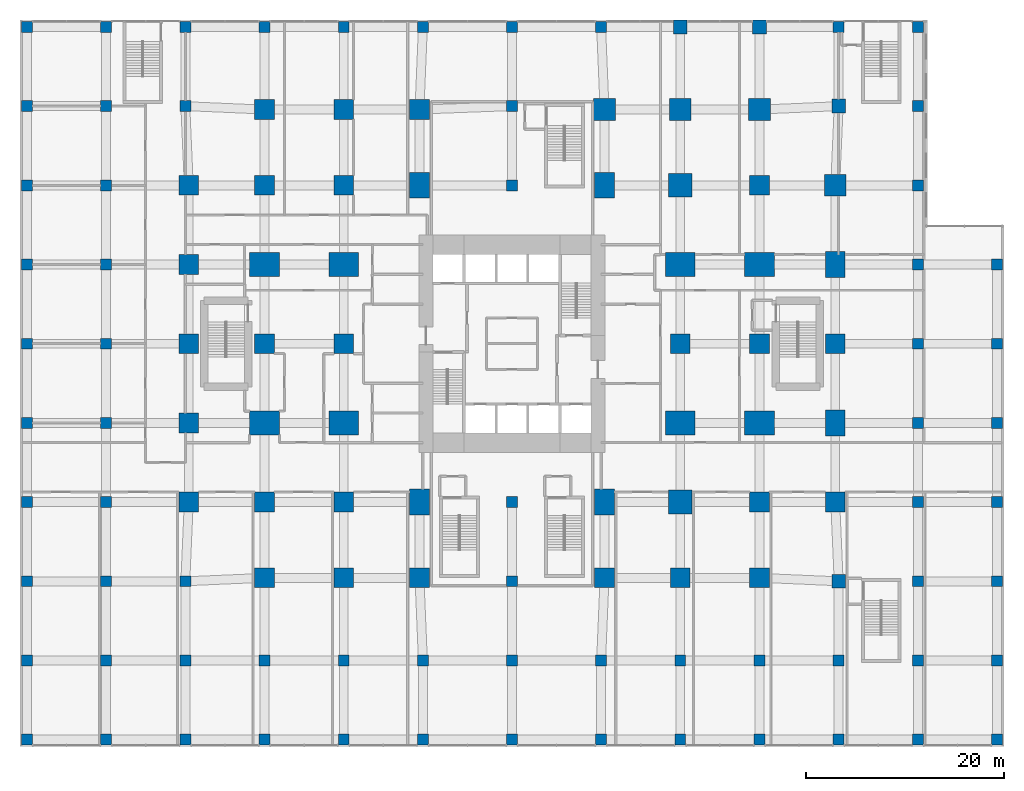
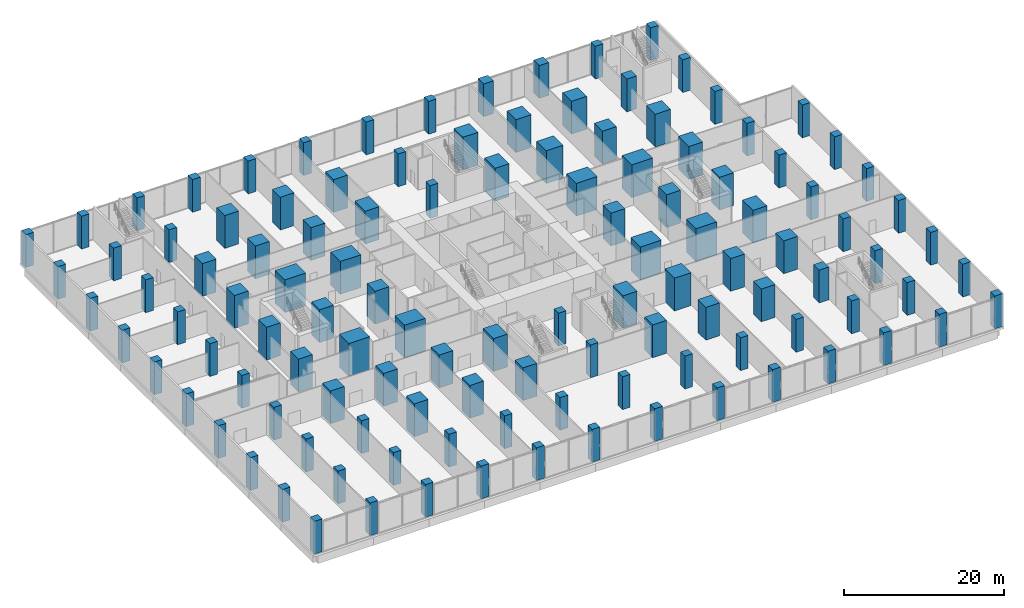
# One storey, part 1 of 22: 118 columns.
"""IFC4 building model written with IfcOpenShell, lengths in metres."""

from ifc_helpers import new_model, si_unit, direction, frame, origin, origin_2d, place, context, subcontext, project, spatial, rectangle, extrude, material, material_profile, profile_set, type_object, element, save


model = new_model("IFC4")

# Units and contexts
model_context = context("Model", 3, precision=1e-05, world=origin(), true_north=direction((0.0, 1.0)))
body_context = subcontext(model_context, "Body", "Model", "MODEL_VIEW")
ifc_project = project(units=[si_unit("LENGTHUNIT", "METRE"), si_unit("AREAUNIT", "SQUARE_METRE"), si_unit("VOLUMEUNIT", "CUBIC_METRE"), si_unit("PLANEANGLEUNIT", "RADIAN"), si_unit("MASSUNIT", "GRAM", prefix="KILO")], contexts=[model_context])

# Site, building, storey
site_placement = place(None, origin())
site = spatial("IfcSite", under=ifc_project, at=site_placement, CompositionType="ELEMENT")
building_placement = place(site_placement, origin())
building = spatial("IfcBuilding", under=site, at=building_placement, Name="Cleftline Residences", CompositionType="ELEMENT")
storey_placement = place(building_placement, frame((0.0, 0.0, 6.0)))
storey = spatial("IfcBuildingStorey", under=building, at=storey_placement, Name="L01", CompositionType="ELEMENT", Elevation=6.0)

# Columns
ifc_material_1 = material(Name="Concrete B70", Category="concrete")
ifc_material_profile_1 = material_profile(ifc_material_1, rectangle(XDim=1.10009765625, YDim=1.10009765625, at=origin_2d()))
ifc_profile_set_1 = profile_set([ifc_material_profile_1], Name="Concrete B70")
column_type_1 = type_object("IfcColumnType", Name="COLUMN RC1100X1100", PredefinedType="COLUMN", material=ifc_profile_set_1)
for number, where, z_axis, x_axis, name in (
    (1, (-16.0, -16.0, 0.0), (0.0, 0.0, 1.0), (1.0, 0.0, 0.0), "Column A/1"),
    (2, (-16.0, -8.0, 0.0), (0.0, 0.0, 1.0), (1.0, 0.0, 0.0), "Column B/1"),
    (3, (-16.0, 0.0, 0.0), (0.0, 0.0, 1.0), (1.0, 0.0, 0.0), "Column C/1"),
    (4, (-16.0, 8.0, 0.0), (0.0, 0.0, 1.0), (1.0, 0.0, 0.0), "Column D/1"),
    (5, (-16.0, 16.0, 0.0), (0.0, 0.0, 1.0), (1.0, 0.0, 0.0), "Column E/1"),
    (6, (-16.0, 24.0, 0.0), (0.0, 0.0, 1.0), (1.0, 0.0, 0.0), "Column F/1"),
    (7, (-16.0, 32.0, 0.0), (0.0, 0.0, 1.0), (1.0, 0.0, 0.0), "Column G/1"),
    (8, (-16.0, 40.0, 0.0), (0.0, 0.0, 1.0), (1.0, 0.0, 0.0), "Column H/1"),
    (9, (-16.0, 48.0, 0.0), (0.0, 0.0, 1.0), (1.0, 0.0, 0.0), "Column J/1"),
    (10, (-16.0, 56.0, 0.0), (0.0, 0.0, 1.0), (1.0, 0.0, 0.0), "Column K/1"),
    (11, (-8.0, -16.0, 0.0), (0.0, 0.0, 1.0), (1.0, 0.0, 0.0), "Column A/2"),
    (12, (-8.0, -8.0, 0.0), (0.0, 0.0, 1.0), (1.0, 0.0, 0.0), "Column B/2"),
    (13, (-8.0, 0.0, 0.0), (0.0, 0.0, 1.0), (1.0, 0.0, 0.0), "Column C/2"),
    (14, (-8.0, 8.0, 0.0), (0.0, 0.0, 1.0), (1.0, 0.0, 0.0), "Column D/2"),
    (15, (-8.0, 16.0, 0.0), (0.0, 0.0, 1.0), (1.0, 0.0, 0.0), "Column E/2"),
    (16, (-8.0, 24.0, 0.0), (0.0, 0.0, 1.0), (1.0, 0.0, 0.0), "Column F/2"),
    (17, (-8.0, 32.0, 0.0), (0.0, 0.0, 1.0), (1.0, 0.0, 0.0), "Column G/2"),
    (18, (-8.0, 40.0, 0.0), (0.0, 0.0, 1.0), (1.0, 0.0, 0.0), "Column H/2"),
    (19, (-8.0, 48.0, 0.0), (0.0, 0.0, 1.0), (1.0, 0.0, 0.0), "Column J/2"),
    (20, (-8.0, 56.0, 0.0), (0.0, 0.0, 1.0), (1.0, 0.0, 0.0), "Column K/2"),
    (21, (0.0, -16.0, 0.0), (0.0, 0.0, 1.0), (1.0, 0.0, 0.0), "Column A/3"),
    (22, (0.0, -8.0, 0.0), (0.0, 0.0, 1.0), (1.0, 0.0, 0.0), "Column B/3"),
    (23, (0.0, 0.0, 0.0), (0.0, 0.0, 1.0), (1.0, 0.0, 0.0), "Column C/3"),
    (24, (0.0, 48.0, 0.0), (0.0, 0.0, 1.0), (1.0, 0.0, 0.0), "Column J/3"),
    (25, (0.0, 56.0, 0.0), (0.0, 0.0, 1.0), (1.0, 0.0, 0.0), "Column K/3"),
    (26, (8.0, -16.0, 0.0), (0.0, 0.0, 1.0), (1.0, 0.0, 0.0), "Column A/4"),
    (27, (8.0, -8.0, 0.0), (0.0, 0.0, 1.0), (1.0, 0.0, 0.0), "Column B/4"),
    (28, (8.0, 56.0, 0.0), (0.0, 0.0, 1.0), (1.0, 0.0, 0.0), "Column K/4"),
    (29, (16.0, -16.0, 0.0), (0.0, 0.0, 1.0), (1.0, 0.0, 0.0), "Column A/5"),
    (30, (16.0, -8.0, 0.0), (0.0, 0.0, 1.0), (1.0, 0.0, 0.0), "Column B/5"),
    (31, (16.0, 56.0, 0.0), (0.0, 0.0, 1.0), (1.0, 0.0, 0.0), "Column K/5"),
    (32, (24.0, -16.0, 0.0), (0.0, 0.0, 1.0), (1.0, 0.0, 0.0), "Column A/6"),
    (33, (24.0, -8.0, 0.0), (0.0, 0.0, 1.0), (1.0, 0.0, 0.0), "Column B/6"),
    (34, (24.0, 56.0, 0.0), (0.0, 0.0, 1.0), (1.0, 0.0, 0.0), "Column K/6"),
    (35, (33.0, -16.0, 0.0), (0.0, 0.0, 1.0), (1.0, 0.0, 0.0), "Column A/7"),
    (36, (33.0, -8.0, 0.0), (0.0, 0.0, 1.0), (1.0, 0.0, 0.0), "Column B/7"),
    (37, (33.0, 0.0, 0.0), (0.0, 0.0, 1.0), (1.0, 0.0, 0.0), "Column C/7"),
    (38, (33.0, 8.0, 0.0), (0.0, 0.0, 1.0), (1.0, 0.0, 0.0), "Column D/7"),
    (39, (33.0, 40.0, 0.0), (0.0, 0.0, 1.0), (1.0, 0.0, 0.0), "Column H/7"),
    (40, (33.0, 48.0, 0.0), (0.0, 0.0, 1.0), (1.0, 0.0, 0.0), "Column J/7"),
    (41, (33.0, 56.0, 0.0), (0.0, 0.0, 1.0), (1.0, 0.0, 0.0), "Column K/7"),
    (42, (42.0, -16.0, 0.0), (0.0, 0.0, 1.0), (1.0, 0.0, 0.0), "Column A/8"),
    (43, (42.0, -8.0, 0.0), (0.0, 0.0, 1.0), (1.0, 0.0, 0.0), "Column B/8"),
    (44, (42.0, 56.0, 0.0), (0.0, 0.0, 1.0), (1.0, 0.0, 0.0), "Column K/8"),
    (45, (50.0, -16.0, 0.0), (0.0, 0.0, 1.0), (1.0, 0.0, 0.0), "Column A/9"),
    (46, (50.0, -8.0, 0.0), (0.0, 0.0, 1.0), (1.0, 0.0, 0.0), "Column B/9"),
    (47, (58.0, -16.0, 0.0), (0.0, 0.0, 1.0), (1.0, 0.0, 0.0), "Column A/10"),
    (48, (58.0, -8.0, 0.0), (0.0, 0.0, 1.0), (1.0, 0.0, 0.0), "Column B/10"),
    (49, (66.0, -16.0, 0.0), (0.0, 0.0, 1.0), (1.0, 0.0, 0.0), "Column A/11"),
    (50, (66.0, -8.0, 0.0), (0.0, 0.0, 1.0), (1.0, 0.0, 0.0), "Column B/11"),
    (51, (66.0, 56.0, 0.0), (0.0, 0.0, 1.0), (1.0, 0.0, 0.0), "Column K/11"),
    (52, (74.0, -16.0, 0.0), (0.0, 0.0, 1.0), (1.0, 0.0, 0.0), "Column A/12"),
    (53, (74.0, -8.0, 0.0), (0.0, 0.0, 1.0), (1.0, 0.0, 0.0), "Column B/12"),
    (54, (74.0, 0.0, 0.0), (0.0, 0.0, 1.0), (1.0, 0.0, 0.0), "Column C/12"),
    (55, (74.0, 8.0, 0.0), (0.0, 0.0, 1.0), (1.0, 0.0, 0.0), "Column D/12"),
    (56, (74.0, 16.0, 0.0), (0.0, 0.0, 1.0), (1.0, 0.0, 0.0), "Column E/12"),
    (57, (74.0, 24.0, 0.0), (0.0, 0.0, 1.0), (1.0, 0.0, 0.0), "Column F/12"),
    (58, (74.0, 32.0, 0.0), (0.0, 0.0, 1.0), (1.0, 0.0, 0.0), "Column G/12"),
    (59, (74.0, 40.0, 0.0), (0.0, 0.0, 1.0), (1.0, 0.0, 0.0), "Column H/12"),
    (60, (74.0, 48.0, 0.0), (0.0, 0.0, 1.0), (1.0, 0.0, 0.0), "Column J/12"),
    (61, (74.0, 56.0, 0.0), (0.0, 0.0, 1.0), (1.0, 0.0, 0.0), "Column K/12"),
    (62, (82.0, -16.0, 0.0), (0.0, 0.0, 1.0), (1.0, 0.0, 0.0), "Column A/13"),
    (63, (82.0, -8.0, 0.0), (0.0, 0.0, 1.0), (1.0, 0.0, 0.0), "Column B/13"),
    (64, (82.0, 0.0, 0.0), (0.0, 0.0, 1.0), (1.0, 0.0, 0.0), "Column C/13"),
    (65, (82.0, 8.0, 0.0), (0.0, 0.0, 1.0), (1.0, 0.0, 0.0), "Column D/13"),
    (66, (82.0, 16.0, 0.0), (0.0, 0.0, 1.0), (1.0, 0.0, 0.0), "Column E/13"),
    (67, (82.0, 24.0, 0.0), (0.0, 0.0, 1.0), (1.0, 0.0, 0.0), "Column F/13"),
    (68, (82.0, 32.0, 0.0), (0.0, 0.0, 1.0), (1.0, 0.0, 0.0), "Column G/13"),
):
    element("IfcColumn", number, at=place(storey_placement, frame(where, z_axis=z_axis, x_axis=x_axis)), inside=storey, type_object=column_type_1, Name=name, PredefinedType="COLUMN", context=body_context, shape_type="SweptSolid", body=[
        extrude(rectangle(XDim=1.10009765625, YDim=1.10009765625, at=origin_2d()), origin(), (0.0, 0.0, 1.0), 5.0),
    ])
ifc_material_2 = material(Name="Concrete B70", Category="concrete")
ifc_material_profile_2 = material_profile(ifc_material_2, rectangle(XDim=1.39990234375, YDim=1.39990234375, at=origin_2d()))
ifc_profile_set_2 = profile_set([ifc_material_profile_2], Name="Concrete B70")
column_type_2 = type_object("IfcColumnType", Name="COLUMN RC1400X1400", PredefinedType="COLUMN", material=ifc_profile_set_2)
for number, where, z_axis, x_axis, name in (
    (69, (50.0, 56.0, 0.0), (0.0, 0.0, 1.0), (1.0, 0.0, 0.0), "Column K/9"),
    (70, (58.0, 56.0, 0.0), (0.0, 0.0, 1.0), (1.0, 0.0, 0.0), "Column K/10"),
    (71, (66.0, 0.0, 0.0), (0.0, 0.0, 1.0), (1.0, 0.0, 0.0), "Column C/11"),
    (72, (66.0, 48.0, 0.0), (0.0, 0.0, 1.0), (1.0, 0.0, 0.0), "Column J/11"),
):
    element("IfcColumn", number, at=place(storey_placement, frame(where, z_axis=z_axis, x_axis=x_axis)), inside=storey, type_object=column_type_2, Name=name, PredefinedType="COLUMN", context=body_context, shape_type="SweptSolid", body=[
        extrude(rectangle(XDim=1.39990234375, YDim=1.39990234375, at=origin_2d()), origin(), (0.0, 0.0, 1.0), 5.0),
    ])
ifc_material_3 = material(Name="Concrete B70", Category="concrete")
ifc_material_profile_3 = material_profile(ifc_material_3, rectangle(XDim=2.0, YDim=2.0, at=origin_2d()))
ifc_profile_set_3 = profile_set([ifc_material_profile_3], Name="Concrete B70")
column_type_3 = type_object("IfcColumnType", Name="COLUMN RC2000X2000", PredefinedType="COLUMN", material=ifc_profile_set_3)
for number, where, z_axis, x_axis, name in (
    (73, (0.35009765625, 8.0, 0.0), (0.0, 0.0, 1.0), (1.0, 0.0, 0.0), "Column D/3"),
    (74, (0.35009765625, 16.0, 0.0), (0.0, 0.0, 1.0), (1.0, 0.0, 0.0), "Column E/3"),
    (75, (0.35009765625, 24.0, 0.0), (0.0, 0.0, 1.0), (1.0, 0.0, 0.0), "Column F/3"),
    (76, (0.35009765625, 32.0, 0.0), (0.0, 0.0, 1.0), (1.0, 0.0, 0.0), "Column G/3"),
    (77, (0.35009765625, 40.0, 0.0), (0.0, 0.0, 1.0), (1.0, 0.0, 0.0), "Column H/3"),
    (78, (8.0, 0.35009765625, 0.0), (0.0, 0.0, 1.0), (1.0, 0.0, 0.0), "Column C/4"),
    (79, (8.0, 8.0, 0.0), (0.0, 0.0, 1.0), (1.0, 0.0, 0.0), "Column D/4"),
    (80, (8.0, 24.0, 0.0), (0.0, 0.0, 1.0), (1.0, 0.0, 0.0), "Column F/4"),
    (81, (8.0, 40.0, 0.0), (0.0, 0.0, 1.0), (1.0, 0.0, 0.0), "Column H/4"),
    (82, (8.0, 47.64990234375, 0.0), (0.0, 0.0, 1.0), (1.0, 0.0, 0.0), "Column J/4"),
    (83, (16.0, 0.35009765625, 0.0), (0.0, 0.0, 1.0), (1.0, 0.0, 0.0), "Column C/5"),
    (84, (16.0, 8.0, 0.0), (0.0, 0.0, 1.0), (1.0, 0.0, 0.0), "Column D/5"),
    (85, (16.0, 24.0, 0.0), (0.0, 0.0, 1.0), (1.0, 0.0, 0.0), "Column F/5"),
    (86, (16.0, 40.0, 0.0), (0.0, 0.0, 1.0), (1.0, 0.0, 0.0), "Column H/5"),
    (87, (16.0, 47.64990234375, 0.0), (0.0, 0.0, 1.0), (1.0, 0.0, 0.0), "Column J/5"),
    (88, (23.64990234375, 0.35009765625, 0.0), (0.0, 0.0, 1.0), (1.0, 0.0, 0.0), "Column C/6"),
    (89, (23.64990234375, 47.64990234375, 0.0), (0.0, 0.0, 1.0), (1.0, 0.0, 0.0), "Column J/6"),
    (90, (42.35009765625, 0.35009765625, 0.0), (0.0, 0.0, 1.0), (1.0, 0.0, 0.0), "Column C/8"),
    (91, (50.0, 0.35009765625, 0.0), (0.0, 0.0, 1.0), (1.0, 0.0, 0.0), "Column C/9"),
    (92, (50.0, 24.0, 0.0), (0.0, 0.0, 1.0), (1.0, 0.0, 0.0), "Column F/9"),
    (93, (58.0, 0.35009765625, 0.0), (0.0, 0.0, 1.0), (1.0, 0.0, 0.0), "Column C/10"),
    (94, (58.0, 8.0, 0.0), (0.0, 0.0, 1.0), (1.0, 0.0, 0.0), "Column D/10"),
    (95, (58.0, 24.0, 0.0), (0.0, 0.0, 1.0), (1.0, 0.0, 0.0), "Column F/10"),
    (96, (58.0, 40.0, 0.0), (0.0, 0.0, 1.0), (1.0, 0.0, 0.0), "Column H/10"),
    (97, (65.64990234375, 8.0, 0.0), (0.0, 0.0, 1.0), (1.0, 0.0, 0.0), "Column D/11"),
    (98, (65.64990234375, 24.0, 0.0), (0.0, 0.0, 1.0), (1.0, 0.0, 0.0), "Column F/11"),
):
    element("IfcColumn", number, at=place(storey_placement, frame(where, z_axis=z_axis, x_axis=x_axis)), inside=storey, type_object=column_type_3, Name=name, PredefinedType="COLUMN", context=body_context, shape_type="SweptSolid", body=[
        extrude(rectangle(XDim=2.0, YDim=2.0, at=origin_2d()), origin(), (0.0, 0.0, 1.0), 5.0),
    ])
ifc_material_4 = material(Name="Concrete B70", Category="concrete")
ifc_material_profile_4 = material_profile(ifc_material_4, rectangle(XDim=2.0, YDim=2.60009765625, at=origin_2d()))
ifc_profile_set_4 = profile_set([ifc_material_profile_4], Name="Concrete B70")
column_type_4 = type_object("IfcColumnType", Name="COLUMN RC2000X2600", PredefinedType="COLUMN", material=ifc_profile_set_4)
for number, where, z_axis, x_axis, name in (
    (99, (23.64990234375, 8.0, 0.0), (0.0, 0.0, 1.0), (1.0, 0.0, 0.0), "Column D/6"),
    (100, (23.64990234375, 40.0, 0.0), (0.0, 0.0, 1.0), (1.0, 0.0, 0.0), "Column H/6"),
    (101, (42.35009765625, 8.0, 0.0), (0.0, 0.0, 1.0), (1.0, 0.0, 0.0), "Column D/8"),
    (102, (42.35009765625, 40.0, 0.0), (0.0, 0.0, 1.0), (1.0, 0.0, 0.0), "Column H/8"),
):
    element("IfcColumn", number, at=place(storey_placement, frame(where, z_axis=z_axis, x_axis=x_axis)), inside=storey, type_object=column_type_4, Name=name, PredefinedType="COLUMN", context=body_context, shape_type="SweptSolid", body=[
        extrude(rectangle(XDim=2.0, YDim=2.60009765625, at=origin_2d()), origin(), (0.0, 0.0, 1.0), 5.0),
    ])
ifc_material_5 = material(Name="Concrete B70", Category="concrete")
ifc_material_profile_5 = material_profile(ifc_material_5, rectangle(XDim=2.199951171875, YDim=2.199951171875, at=origin_2d()))
ifc_profile_set_5 = profile_set([ifc_material_profile_5], Name="Concrete B70")
column_type_5 = type_object("IfcColumnType", Name="COLUMN RC2200X2200", PredefinedType="COLUMN", material=ifc_profile_set_5)
for number, where, z_axis, x_axis, name in (
    (103, (42.35009765625, 47.64990234375, 0.0), (0.0, 0.0, 1.0), (1.0, 0.0, 0.0), "Column J/8"),
    (104, (50.0, 47.64990234375, 0.0), (0.0, 0.0, 1.0), (1.0, 0.0, 0.0), "Column J/9"),
    (105, (58.0, 47.64990234375, 0.0), (0.0, 0.0, 1.0), (1.0, 0.0, 0.0), "Column J/10"),
    (106, (65.64990234375, 40.0, 0.0), (0.0, 0.0, 1.0), (1.0, 0.0, 0.0), "Column H/11"),
):
    element("IfcColumn", number, at=place(storey_placement, frame(where, z_axis=z_axis, x_axis=x_axis)), inside=storey, type_object=column_type_5, Name=name, PredefinedType="COLUMN", context=body_context, shape_type="SweptSolid", body=[
        extrude(rectangle(XDim=2.199951171875, YDim=2.199951171875, at=origin_2d()), origin(), (0.0, 0.0, 1.0), 5.0),
    ])
ifc_material_6 = material(Name="Concrete B70", Category="concrete")
ifc_material_profile_6 = material_profile(ifc_material_6, rectangle(XDim=2.39990234375, YDim=2.39990234375, at=origin_2d()))
ifc_profile_set_6 = profile_set([ifc_material_profile_6], Name="Concrete B70")
column_type_6 = type_object("IfcColumnType", Name="COLUMN RC2400X2400", PredefinedType="COLUMN", material=ifc_profile_set_6)
for number, where, z_axis, x_axis, name in (
    (107, (50.0, 8.0, 0.0), (0.0, 0.0, 1.0), (1.0, 0.0, 0.0), "Column D/9"),
    (108, (50.0, 40.0, 0.0), (0.0, 0.0, 1.0), (1.0, 0.0, 0.0), "Column H/9"),
):
    element("IfcColumn", number, at=place(storey_placement, frame(where, z_axis=z_axis, x_axis=x_axis)), inside=storey, type_object=column_type_6, Name=name, PredefinedType="COLUMN", context=body_context, shape_type="SweptSolid", body=[
        extrude(rectangle(XDim=2.39990234375, YDim=2.39990234375, at=origin_2d()), origin(), (0.0, 0.0, 1.0), 5.0),
    ])
ifc_material_7 = material(Name="Concrete B70", Category="concrete")
ifc_material_profile_7 = material_profile(ifc_material_7, rectangle(XDim=2.60009765625, YDim=2.0, at=origin_2d()))
ifc_profile_set_7 = profile_set([ifc_material_profile_7], Name="Concrete B70")
column_type_7 = type_object("IfcColumnType", Name="COLUMN RC2600X2000", PredefinedType="COLUMN", material=ifc_profile_set_7)
for number, where, z_axis, x_axis, name in (
    (109, (65.64990234375, 16.0, 0.0), (0.0, 0.0, 1.0), (0.0, 1.0, 0.0), "Column E/11"),
    (110, (65.64990234375, 32.0, 0.0), (0.0, 0.0, 1.0), (0.0, 1.0, 0.0), "Column G/11"),
):
    element("IfcColumn", number, at=place(storey_placement, frame(where, z_axis=z_axis, x_axis=x_axis)), inside=storey, type_object=column_type_7, Name=name, PredefinedType="COLUMN", context=body_context, shape_type="SweptSolid", body=[
        extrude(rectangle(XDim=2.60009765625, YDim=2.0, at=origin_2d()), origin(), (0.0, 0.0, 1.0), 5.0),
    ])
ifc_material_8 = material(Name="Concrete B70", Category="concrete")
ifc_material_profile_8 = material_profile(ifc_material_8, rectangle(XDim=3.0, YDim=2.39990234375, at=origin_2d()))
ifc_profile_set_8 = profile_set([ifc_material_profile_8], Name="Concrete B70")
column_type_8 = type_object("IfcColumnType", Name="COLUMN RC3000X2400", PredefinedType="COLUMN", material=ifc_profile_set_8)
for number, where, z_axis, x_axis, name in (
    (111, (8.0, 16.0, 0.0), (0.0, 0.0, 1.0), (1.0, 0.0, 0.0), "Column E/4"),
    (112, (8.0, 32.0, 0.0), (0.0, 0.0, 1.0), (1.0, 0.0, 0.0), "Column G/4"),
    (113, (16.0, 16.0, 0.0), (0.0, 0.0, 1.0), (1.0, 0.0, 0.0), "Column E/5"),
    (114, (16.0, 32.0, 0.0), (0.0, 0.0, 1.0), (1.0, 0.0, 0.0), "Column G/5"),
    (115, (50.0, 16.0, 0.0), (0.0, 0.0, 1.0), (1.0, 0.0, 0.0), "Column E/9"),
    (116, (50.0, 32.0, 0.0), (0.0, 0.0, 1.0), (1.0, 0.0, 0.0), "Column G/9"),
    (117, (58.0, 16.0, 0.0), (0.0, 0.0, 1.0), (1.0, 0.0, 0.0), "Column E/10"),
    (118, (58.0, 32.0, 0.0), (0.0, 0.0, 1.0), (1.0, 0.0, 0.0), "Column G/10"),
):
    element("IfcColumn", number, at=place(storey_placement, frame(where, z_axis=z_axis, x_axis=x_axis)), inside=storey, type_object=column_type_8, Name=name, PredefinedType="COLUMN", context=body_context, shape_type="SweptSolid", body=[
        extrude(rectangle(XDim=3.0, YDim=2.39990234375, at=origin_2d()), origin(), (0.0, 0.0, 1.0), 5.0),
    ])

save(model, "model.ifc")
